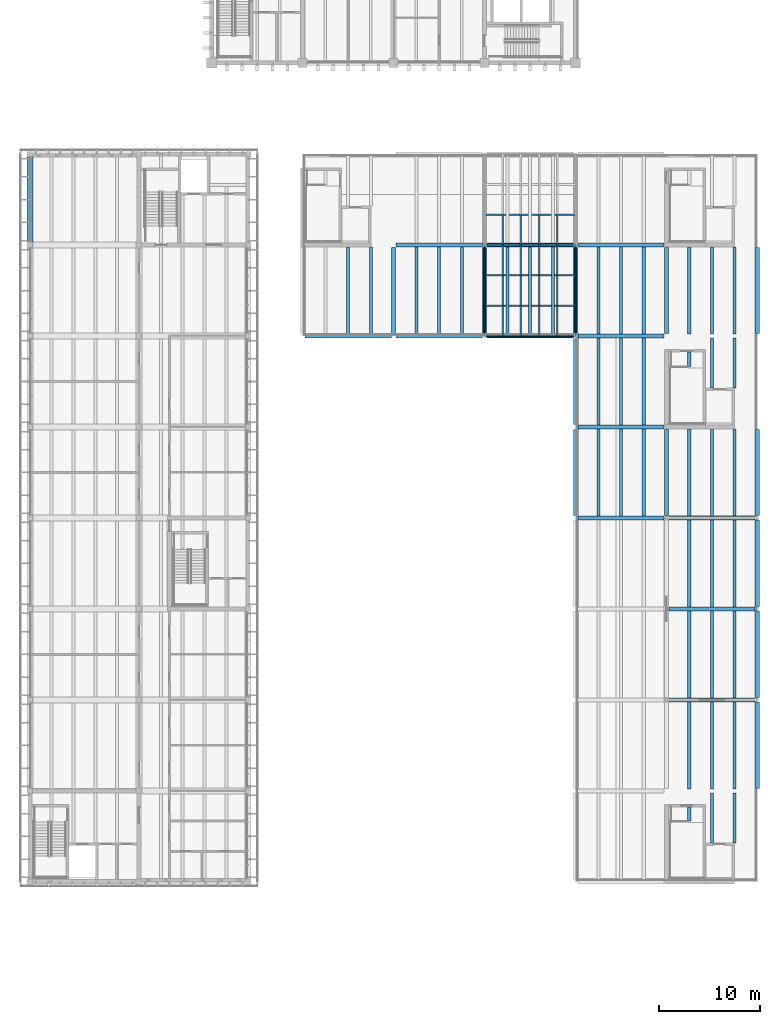
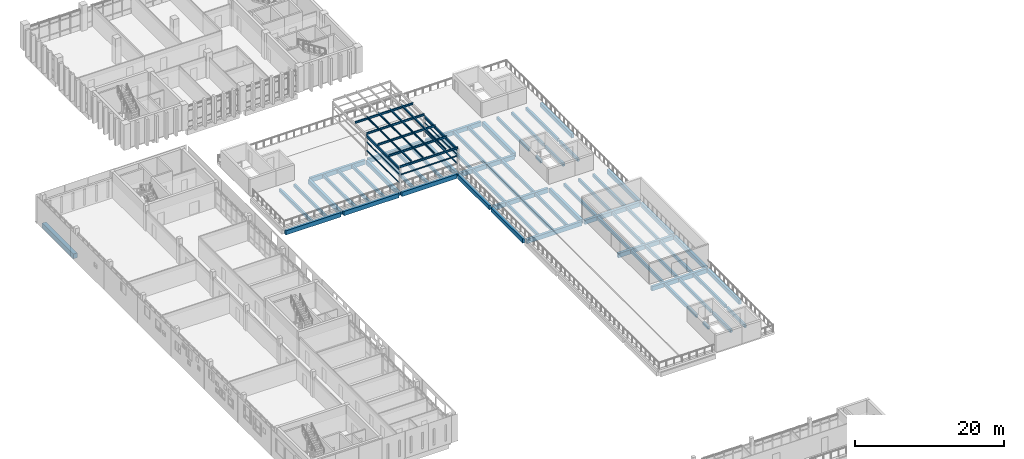
# One storey, part 21 of 74: 70 beams, 21 members.
"""IFC4 building model written with IfcOpenShell, lengths in metres."""

from ifc_helpers import new_model, si_unit, direction, frame, origin, origin_2d, place, context, subcontext, project, spatial, rectangle, hollow_rectangle, hollow_circle, i_section, extrude, material, material_profile, profile_set, type_object, element, save


model = new_model("IFC4")

# Units and contexts
model_context = context("Model", 3, precision=1e-05, world=origin(), true_north=direction((0.0, 1.0)))
body_context = subcontext(model_context, "Body", "Model", "MODEL_VIEW")
ifc_project = project(units=[si_unit("LENGTHUNIT", "METRE"), si_unit("AREAUNIT", "SQUARE_METRE"), si_unit("VOLUMEUNIT", "CUBIC_METRE"), si_unit("PLANEANGLEUNIT", "RADIAN"), si_unit("MASSUNIT", "GRAM", prefix="KILO")], contexts=[model_context])

# Site, building, storey
site_placement = place(None, origin())
site = spatial("IfcSite", under=ifc_project, at=site_placement, CompositionType="ELEMENT")
building_placement = place(site_placement, origin())
building = spatial("IfcBuilding", under=site, at=building_placement, Name="Merrow Basin Faculty of Sciences", CompositionType="ELEMENT")
storey_placement = place(building_placement, frame((0.0, 0.0, 13.5)))
storey = spatial("IfcBuildingStorey", under=building, at=storey_placement, Name="L03", CompositionType="ELEMENT", Elevation=13.5)

# Beams
ifc_material_1 = material(Name="Concrete C40/50", Category="concrete")
ifc_material_profile_1 = material_profile(ifc_material_1, rectangle(XDim=0.39990234375, YDim=0.699951171875, at=origin_2d()))
ifc_profile_set_1 = profile_set([ifc_material_profile_1], Name="Concrete C40/50")
beam_type_1 = type_object("IfcBeamType", Name="Beam RC400x700 C40/50", PredefinedType="BEAM", material=ifc_profile_set_1)
for number, where, z_axis, x_axis, name in (
    (1, (63.22509765625, 79.0, -0.699951171875), (1.0, 0.0, 0.0), (0.0, 1.0, 0.0), "B3 L03 004"),
    (2, (63.22509765625, 88.0, -0.699951171875), (1.0, 0.0, 0.0), (0.0, 1.0, 0.0), "B3 L03 006"),
    (3, (54.22509765625, 97.0, -0.699951171875), (1.0, 0.0, 0.0), (0.0, 1.0, 0.0), "B3 L03 007"),
    (4, (63.22509765625, 97.0, -0.699951171875), (1.0, 0.0, 0.0), (0.0, 1.0, 0.0), "B3 L03 008"),
    (5, (54.22509765625, 106.0, -0.699951171875), (1.0, 0.0, 0.0), (0.0, 1.0, 0.0), "B3 L03 009"),
    (6, (27.22509765625, 115.0, -0.699951171875), (1.0, 0.0, 0.0), (0.0, 1.0, 0.0), "B3 L03 010"),
    (7, (36.22509765625, 115.0, -0.699951171875), (1.0, 0.0, 0.0), (0.0, 1.0, 0.0), "B3 L03 011"),
    (8, (45.22509765625, 115.0, -0.699951171875), (1.0, 0.0, 0.0), (0.0, 1.0, 0.0), "B3 L03 012"),
    (9, (54.22509765625, 115.0, -0.699951171875), (1.0, 0.0, 0.0), (0.0, 1.0, 0.0), "B3 L03 013"),
    (10, (36.22509765625, 124.0, -0.699951171875), (1.0, 0.0, 0.0), (0.0, 1.0, 0.0), "B3 L03 014"),
    (11, (45.22509765625, 124.0, -0.699951171875), (1.0, 0.0, 0.0), (0.0, 1.0, 0.0), "B3 L03 015"),
    (12, (54.22509765625, 124.0, -0.699951171875), (1.0, 0.0, 0.0), (0.0, 1.0, 0.0), "B3 L03 016"),
    (13, (36.0, 115.22509765625, -0.699951171875), (0.0, 1.0, 0.0), (-1.0, 0.0, 0.0), "B3 L03 021"),
    (14, (45.0, 115.22509765625, -0.699951171875), (0.0, 1.0, 0.0), (-1.0, 0.0, 0.0), "B3 L03 022"),
    (15, (54.0, 97.22509765625, -0.699951171875), (0.0, 1.0, 0.0), (-1.0, 0.0, 0.0), "B3 L03 028"),
    (16, (54.0, 106.22509765625, -0.699951171875), (0.0, 1.0, 0.0), (-1.0, 0.0, 0.0), "B3 L03 029"),
    (17, (54.0, 115.22509765625, -0.699951171875), (0.0, 1.0, 0.0), (-1.0, 0.0, 0.0), "B3 L03 030"),
    (18, (63.0, 97.22509765625, -0.699951171875), (0.0, 1.0, 0.0), (-1.0, 0.0, 0.0), "B3 L03 035"),
    (19, (63.0, 115.22509765625, -0.699951171875), (0.0, 1.0, 0.0), (-1.0, 0.0, 0.0), "B3 L03 036"),
    (20, (72.0, 70.22509765625, -0.699951171875), (0.0, 1.0, 0.0), (-1.0, 0.0, 0.0), "B3 L03 037"),
    (21, (72.0, 79.22509765625, -0.699951171875), (0.0, 1.0, 0.0), (-1.0, 0.0, 0.0), "B3 L03 038"),
    (22, (72.0, 88.22509765625, -0.699951171875), (0.0, 1.0, 0.0), (-1.0, 0.0, 0.0), "B3 L03 039"),
    (23, (72.0, 97.22509765625, -0.699951171875), (0.0, 1.0, 0.0), (-1.0, 0.0, 0.0), "B3 L03 040"),
    (24, (72.0, 115.22509765625, -0.699951171875), (0.0, 1.0, 0.0), (-1.0, 0.0, 0.0), "B3 L03 041"),
):
    element("IfcBeam", number, at=place(storey_placement, frame(where, z_axis=z_axis, x_axis=x_axis)), inside=storey, type_object=beam_type_1, Name=name, PredefinedType="BEAM", context=body_context, shape_type="SweptSolid", body=[
        extrude(rectangle(XDim=0.39990234375, YDim=0.699951171875, at=origin_2d()), origin(), (0.0, 0.0, 1.0), 8.5498046875),
    ])
ifc_material_2 = material(Name="Concrete C40/50", Category="concrete")
ifc_material_profile_2 = material_profile(ifc_material_2, rectangle(XDim=0.60009765625, YDim=0.800048828125, at=origin_2d()))
ifc_profile_set_2 = profile_set([ifc_material_profile_2], Name="Concrete C40/50")
beam_type_2 = type_object("IfcBeamType", Name="Beam RC600x800 C40/50", PredefinedType="BEAM", material=ifc_profile_set_2)
beam_1_placement = place(storey_placement, frame((0.0, 124.300048828125, -0.699951171875), z_axis=(0.0, 1.0, 0.0), x_axis=(-1.0, 0.0, 0.0)))
element("IfcBeam", 25, at=beam_1_placement, inside=storey, type_object=beam_type_2, Name="B2 L03 021", PredefinedType="BEAM", context=body_context, shape_type="SweptSolid", body=[
    extrude(rectangle(XDim=0.60009765625, YDim=0.800048828125, at=origin_2d()), origin(), (0.0, 0.0, 1.0), 8.39990234375),
])
ifc_material_3 = material(Name="Concrete C40/50", Category="concrete")
ifc_material_profile_3 = material_profile(ifc_material_3, rectangle(XDim=0.300048828125, YDim=0.5, at=origin_2d()))
ifc_profile_set_3 = profile_set([ifc_material_profile_3], Name="Concrete C40/50")
beam_type_3 = type_object("IfcBeamType", Name="Terrace roof joist RC300x500 C40/50", PredefinedType="BEAM", material=ifc_profile_set_3)
for number, where, z_axis, x_axis, name in (
    (26, (31.5, 115.199951171875, -0.60009765625), (0.0, 1.0, 0.0), (-1.0, 0.0, 0.0), "JD1 L03 054"),
    (27, (33.75, 115.199951171875, -0.60009765625), (0.0, 1.0, 0.0), (-1.0, 0.0, 0.0), "JD1 L03 055"),
    (28, (38.25, 115.199951171875, -0.60009765625), (0.0, 1.0, 0.0), (-1.0, 0.0, 0.0), "JD1 L03 059"),
    (29, (40.5, 115.199951171875, -0.60009765625), (0.0, 1.0, 0.0), (-1.0, 0.0, 0.0), "JD1 L03 060"),
    (30, (42.75, 115.199951171875, -0.60009765625), (0.0, 1.0, 0.0), (-1.0, 0.0, 0.0), "JD1 L03 061"),
    (31, (47.25, 115.199951171875, -0.60009765625), (0.0, 1.0, 0.0), (-1.0, 0.0, 0.0), "JD1 L03 065"),
    (32, (49.5, 115.199951171875, -0.60009765625), (0.0, 1.0, 0.0), (-1.0, 0.0, 0.0), "JD1 L03 066"),
    (33, (51.75, 115.199951171875, -0.60009765625), (0.0, 1.0, 0.0), (-1.0, 0.0, 0.0), "JD1 L03 067"),
    (34, (56.25, 97.199951171875, -0.60009765625), (0.0, 1.0, 0.0), (-1.0, 0.0, 0.0), "JD1 L03 083"),
    (35, (58.5, 97.199951171875, -0.60009765625), (0.0, 1.0, 0.0), (-1.0, 0.0, 0.0), "JD1 L03 084"),
    (36, (60.75, 97.199951171875, -0.60009765625), (0.0, 1.0, 0.0), (-1.0, 0.0, 0.0), "JD1 L03 085"),
    (37, (56.25, 106.199951171875, -0.60009765625), (0.0, 1.0, 0.0), (-1.0, 0.0, 0.0), "JD1 L03 086"),
    (38, (58.5, 106.199951171875, -0.60009765625), (0.0, 1.0, 0.0), (-1.0, 0.0, 0.0), "JD1 L03 087"),
    (39, (60.75, 106.199951171875, -0.60009765625), (0.0, 1.0, 0.0), (-1.0, 0.0, 0.0), "JD1 L03 088"),
    (40, (56.25, 115.199951171875, -0.60009765625), (0.0, 1.0, 0.0), (-1.0, 0.0, 0.0), "JD1 L03 089"),
    (41, (58.5, 115.199951171875, -0.60009765625), (0.0, 1.0, 0.0), (-1.0, 0.0, 0.0), "JD1 L03 090"),
    (42, (60.75, 115.199951171875, -0.60009765625), (0.0, 1.0, 0.0), (-1.0, 0.0, 0.0), "JD1 L03 091"),
):
    element("IfcBeam", number, at=place(storey_placement, frame(where, z_axis=z_axis, x_axis=x_axis)), inside=storey, type_object=beam_type_3, Name=name, PredefinedType="BEAM", context=body_context, shape_type="SweptSolid", body=[
        extrude(rectangle(XDim=0.300048828125, YDim=0.5, at=origin_2d()), origin(), (0.0, 0.0, 1.0), 8.60009765625),
    ])
beam_2_placement = place(storey_placement, frame((65.25, 67.0, -0.60009765625), z_axis=(0.0, 1.0, 0.0), x_axis=(-1.0, 0.0, 0.0)))
element("IfcBeam", 43, at=beam_2_placement, inside=storey, type_object=beam_type_3, Name="JD1 L03 095", PredefinedType="BEAM", context=body_context, shape_type="SweptSolid", body=[
    extrude(rectangle(XDim=0.300048828125, YDim=0.5, at=origin_2d()), origin(), (0.0, 0.0, 1.0), 1.39990234375),
])
for number, where, z_axis, x_axis, name in (
    (44, (67.5, 64.85009765625, -0.60009765625), (0.0, 1.0, 0.0), (-1.0, 0.0, 0.0), "JD1 L03 096"),
    (45, (69.75, 64.85009765625, -0.60009765625), (0.0, 1.0, 0.0), (-1.0, 0.0, 0.0), "JD1 L03 097"),
):
    element("IfcBeam", number, at=place(storey_placement, frame(where, z_axis=z_axis, x_axis=x_axis)), inside=storey, type_object=beam_type_3, Name=name, PredefinedType="BEAM", context=body_context, shape_type="SweptSolid", body=[
        extrude(rectangle(XDim=0.300048828125, YDim=0.5, at=origin_2d()), origin(), (0.0, 0.0, 1.0), 4.949951171875),
    ])
for number, where, z_axis, x_axis, name in (
    (46, (65.25, 70.199951171875, -0.60009765625), (0.0, 1.0, 0.0), (-1.0, 0.0, 0.0), "JD1 L03 098"),
    (47, (67.5, 70.199951171875, -0.60009765625), (0.0, 1.0, 0.0), (-1.0, 0.0, 0.0), "JD1 L03 099"),
    (48, (69.75, 70.199951171875, -0.60009765625), (0.0, 1.0, 0.0), (-1.0, 0.0, 0.0), "JD1 L03 100"),
    (49, (65.25, 79.199951171875, -0.60009765625), (0.0, 1.0, 0.0), (-1.0, 0.0, 0.0), "JD1 L03 101"),
    (50, (67.5, 79.199951171875, -0.60009765625), (0.0, 1.0, 0.0), (-1.0, 0.0, 0.0), "JD1 L03 102"),
    (51, (69.75, 79.199951171875, -0.60009765625), (0.0, 1.0, 0.0), (-1.0, 0.0, 0.0), "JD1 L03 103"),
    (52, (65.25, 88.199951171875, -0.60009765625), (0.0, 1.0, 0.0), (-1.0, 0.0, 0.0), "JD1 L03 104"),
    (53, (67.5, 88.199951171875, -0.60009765625), (0.0, 1.0, 0.0), (-1.0, 0.0, 0.0), "JD1 L03 105"),
    (54, (69.75, 88.199951171875, -0.60009765625), (0.0, 1.0, 0.0), (-1.0, 0.0, 0.0), "JD1 L03 106"),
    (55, (65.25, 97.199951171875, -0.60009765625), (0.0, 1.0, 0.0), (-1.0, 0.0, 0.0), "JD1 L03 107"),
    (56, (67.5, 97.199951171875, -0.60009765625), (0.0, 1.0, 0.0), (-1.0, 0.0, 0.0), "JD1 L03 108"),
    (57, (69.75, 97.199951171875, -0.60009765625), (0.0, 1.0, 0.0), (-1.0, 0.0, 0.0), "JD1 L03 109"),
):
    element("IfcBeam", number, at=place(storey_placement, frame(where, z_axis=z_axis, x_axis=x_axis)), inside=storey, type_object=beam_type_3, Name=name, PredefinedType="BEAM", context=body_context, shape_type="SweptSolid", body=[
        extrude(rectangle(XDim=0.300048828125, YDim=0.5, at=origin_2d()), origin(), (0.0, 0.0, 1.0), 8.60009765625),
    ])
beam_3_placement = place(storey_placement, frame((65.25, 112.0, -0.60009765625), z_axis=(0.0, 1.0, 0.0), x_axis=(-1.0, 0.0, 0.0)))
element("IfcBeam", 58, at=beam_3_placement, inside=storey, type_object=beam_type_3, Name="JD1 L03 110", PredefinedType="BEAM", context=body_context, shape_type="SweptSolid", body=[
    extrude(rectangle(XDim=0.300048828125, YDim=0.5, at=origin_2d()), origin(), (0.0, 0.0, 1.0), 1.39990234375),
])
for number, where, z_axis, x_axis, name in (
    (59, (67.5, 109.85009765625, -0.60009765625), (0.0, 1.0, 0.0), (-1.0, 0.0, 0.0), "JD1 L03 111"),
    (60, (69.75, 109.85009765625, -0.60009765625), (0.0, 1.0, 0.0), (-1.0, 0.0, 0.0), "JD1 L03 112"),
):
    element("IfcBeam", number, at=place(storey_placement, frame(where, z_axis=z_axis, x_axis=x_axis)), inside=storey, type_object=beam_type_3, Name=name, PredefinedType="BEAM", context=body_context, shape_type="SweptSolid", body=[
        extrude(rectangle(XDim=0.300048828125, YDim=0.5, at=origin_2d()), origin(), (0.0, 0.0, 1.0), 4.949951171875),
    ])
for number, where, z_axis, x_axis, name in (
    (61, (65.25, 115.199951171875, -0.60009765625), (0.0, 1.0, 0.0), (-1.0, 0.0, 0.0), "JD1 L03 113"),
    (62, (67.5, 115.199951171875, -0.60009765625), (0.0, 1.0, 0.0), (-1.0, 0.0, 0.0), "JD1 L03 114"),
    (63, (69.75, 115.199951171875, -0.60009765625), (0.0, 1.0, 0.0), (-1.0, 0.0, 0.0), "JD1 L03 115"),
):
    element("IfcBeam", number, at=place(storey_placement, frame(where, z_axis=z_axis, x_axis=x_axis)), inside=storey, type_object=beam_type_3, Name=name, PredefinedType="BEAM", context=body_context, shape_type="SweptSolid", body=[
        extrude(rectangle(XDim=0.300048828125, YDim=0.5, at=origin_2d()), origin(), (0.0, 0.0, 1.0), 8.60009765625),
    ])

# Member
ifc_material_4 = material(Name="Steel ASTM A500 Gr C", Category="steel")
ifc_material_profile_4 = material_profile(ifc_material_4, hollow_circle(Radius=0.05712890625, WallThickness=0.00634765625, at=origin_2d()))
ifc_profile_set_4 = profile_set([ifc_material_profile_4], Name="Steel ASTM A500 Gr C")
member_type_1 = type_object("IfcMemberType", Name="Trellis brace CHS114x6.4", PredefinedType="BRACE", material=ifc_profile_set_4)
member_placement = place(storey_placement, frame((45.117919921875, 115.0, 2.492919921875), z_axis=(1.0, 0.0, 0.0), x_axis=(0.0, 1.0, 0.0)))
element("IfcMember", 64, at=member_placement, inside=storey, type_object=member_type_1, Name="TB1 L03 025", PredefinedType="BRACE", context=body_context, shape_type="SweptSolid", body=[
    extrude(hollow_circle(Radius=0.05712890625, WallThickness=0.00634765625, at=origin_2d()), origin(), (0.0, 0.0, 1.0), 8.76416015625),
])

# Beams
ifc_material_5 = material(Name="Steel ASTM A992", Category="steel")
ifc_material_profile_5 = material_profile(ifc_material_5, i_section(OverallWidth=0.177978515625, OverallDepth=0.406982421875, WebThickness=0.0078125, FlangeThickness=0.0126953125, at=origin_2d()))
ifc_profile_set_5 = profile_set([ifc_material_profile_5], Name="Steel ASTM A992")
beam_type_4 = type_object("IfcBeamType", Name="Trellis girder W410x60", PredefinedType="BEAM", material=ifc_profile_set_5)
for number, where, z_axis, x_axis, name in (
    (65, (45.0, 115.10205078125, 3.447021484375), (0.0, 1.0, 0.0), (-1.0, 0.0, 0.0), "TG1 L03 042"),
    (66, (54.0, 115.10205078125, 3.447021484375), (0.0, 1.0, 0.0), (-1.0, 0.0, 0.0), "TG1 L03 044"),
):
    element("IfcBeam", number, at=place(storey_placement, frame(where, z_axis=z_axis, x_axis=x_axis)), inside=storey, type_object=beam_type_4, Name=name, PredefinedType="BEAM", context=body_context, shape_type="SweptSolid", body=[
        extrude(i_section(OverallWidth=0.177978515625, OverallDepth=0.406982421875, WebThickness=0.0078125, FlangeThickness=0.0126953125, at=origin_2d()), origin(), (0.0, 0.0, 1.0), 8.7958984375),
    ])

# Members
ifc_material_6 = material(Name="Steel ASTM A500 Gr C", Category="steel")
ifc_material_profile_6 = material_profile(ifc_material_6, hollow_rectangle(XDim=0.126953125, YDim=0.126953125, WallThickness=0.00634765625, at=origin_2d()))
ifc_profile_set_6 = profile_set([ifc_material_profile_6], Name="Steel ASTM A500 Gr C")
member_type_2 = type_object("IfcMemberType", Name="Trellis kick rail HSS127x127x6.4", PredefinedType="MEMBER", material=ifc_profile_set_6)
for number, where, z_axis, x_axis, name in (
    (67, (45.0, 115.117919921875, 1.10009765625), (0.0, 1.0, 0.0), (-1.0, 0.0, 0.0), "TK1 L03 031"),
    (68, (54.0, 115.117919921875, 1.10009765625), (0.0, 1.0, 0.0), (-1.0, 0.0, 0.0), "TK1 L03 033"),
):
    element("IfcMember", number, at=place(storey_placement, frame(where, z_axis=z_axis, x_axis=x_axis)), inside=storey, type_object=member_type_2, Name=name, PredefinedType="MEMBER", context=body_context, shape_type="SweptSolid", body=[
        extrude(hollow_rectangle(XDim=0.126953125, YDim=0.126953125, WallThickness=0.00634765625, at=origin_2d()), origin(), (0.0, 0.0, 1.0), 8.76416015625),
    ])
ifc_material_7 = material(Name="Steel ASTM A500 Gr C", Category="steel")
ifc_material_profile_7 = material_profile(ifc_material_7, hollow_circle(Radius=0.04443359375, WallThickness=0.0048828125, at=origin_2d()))
ifc_profile_set_7 = profile_set([ifc_material_profile_7], Name="Steel ASTM A500 Gr C")
member_type_3 = type_object("IfcMemberType", Name="Trellis longitudinal brace CHS89x5.0", PredefinedType="BRACE", material=ifc_profile_set_7)
for number, where, z_axis, x_axis, name in (
    (69, (45.0, 115.117919921875, 2.506103515625), (0.0, 1.0, 0.0), (-1.0, 0.0, 0.0), "TL1 L03 027"),
    (70, (54.0, 115.117919921875, 2.506103515625), (0.0, 1.0, 0.0), (-1.0, 0.0, 0.0), "TL1 L03 029"),
):
    element("IfcMember", number, at=place(storey_placement, frame(where, z_axis=z_axis, x_axis=x_axis)), inside=storey, type_object=member_type_3, Name=name, PredefinedType="BRACE", context=body_context, shape_type="SweptSolid", body=[
        extrude(hollow_circle(Radius=0.04443359375, WallThickness=0.0048828125, at=origin_2d()), origin(), (0.0, 0.0, 1.0), 8.76416015625),
    ])

# Beams
ifc_material_8 = material(Name="Steel ASTM A992", Category="steel")
ifc_material_profile_8 = material_profile(ifc_material_8, i_section(OverallWidth=0.1650390625, OverallDepth=0.31005859375, WebThickness=0.005859375, FlangeThickness=0.009765625, at=origin_2d()))
ifc_profile_set_8 = profile_set([ifc_material_profile_8], Name="Steel ASTM A992")
beam_type_5 = type_object("IfcBeamType", Name="Trellis purlin beam W310x39", PredefinedType="BEAM", material=ifc_profile_set_8)
for number, where, z_axis, x_axis, name in (
    (71, (45.0, 115.0, 3.804931640625), (1.0, 0.0, 0.0), (0.0, 1.0, 0.0), "TP1 L03 046"),
    (72, (45.0, 118.0, 3.804931640625), (1.0, 0.0, 0.0), (0.0, 1.0, 0.0), "TP1 L03 047"),
    (73, (45.0, 121.0, 3.804931640625), (1.0, 0.0, 0.0), (0.0, 1.0, 0.0), "TP1 L03 048"),
    (74, (45.0, 124.0, 3.804931640625), (1.0, 0.0, 0.0), (0.0, 1.0, 0.0), "TP1 L03 049"),
    (75, (45.0, 127.0, 3.804931640625), (1.0, 0.0, 0.0), (0.0, 1.0, 0.0), "TP1 L03 050"),
):
    element("IfcBeam", number, at=place(storey_placement, frame(where, z_axis=z_axis, x_axis=x_axis)), inside=storey, type_object=beam_type_5, Name=name, PredefinedType="BEAM", context=body_context, shape_type="SweptSolid", body=[
        extrude(i_section(OverallWidth=0.1650390625, OverallDepth=0.31005859375, WebThickness=0.005859375, FlangeThickness=0.009765625, at=origin_2d()), origin(), (0.0, 0.0, 1.0), 9.0),
    ])

# Members
ifc_material_9 = material(Name="Steel ASTM A992", Category="steel")
ifc_material_profile_9 = material_profile(ifc_material_9, i_section(OverallWidth=0.14599609375, OverallDepth=0.258056640625, WebThickness=0.006103515625, FlangeThickness=0.009033203125, at=origin_2d()))
ifc_profile_set_9 = profile_set([ifc_material_profile_9], Name="Steel ASTM A992")
member_type_4 = type_object("IfcMemberType", Name="Trellis rafter W250x33", PredefinedType="RAFTER", material=ifc_profile_set_9)
for number, where, z_axis, x_axis, name in (
    (76, (46.800048828125, 115.0, 4.089111328125), (0.0, 1.0, 0.0), (-1.0, 0.0, 0.0), "TR1 L03 001"),
    (77, (48.60009765625, 115.0, 4.089111328125), (0.0, 1.0, 0.0), (-1.0, 0.0, 0.0), "TR1 L03 002"),
    (78, (50.39990234375, 115.0, 4.089111328125), (0.0, 1.0, 0.0), (-1.0, 0.0, 0.0), "TR1 L03 003"),
    (79, (52.199951171875, 115.0, 4.089111328125), (0.0, 1.0, 0.0), (-1.0, 0.0, 0.0), "TR1 L03 004"),
    (80, (46.800048828125, 118.0, 4.089111328125), (0.0, 1.0, 0.0), (-1.0, 0.0, 0.0), "TR1 L03 005"),
    (81, (48.60009765625, 118.0, 4.089111328125), (0.0, 1.0, 0.0), (-1.0, 0.0, 0.0), "TR1 L03 006"),
    (82, (50.39990234375, 118.0, 4.089111328125), (0.0, 1.0, 0.0), (-1.0, 0.0, 0.0), "TR1 L03 007"),
    (83, (52.199951171875, 118.0, 4.089111328125), (0.0, 1.0, 0.0), (-1.0, 0.0, 0.0), "TR1 L03 008"),
    (84, (46.800048828125, 121.0, 4.089111328125), (0.0, 1.0, 0.0), (-1.0, 0.0, 0.0), "TR1 L03 009"),
    (85, (48.60009765625, 121.0, 4.089111328125), (0.0, 1.0, 0.0), (-1.0, 0.0, 0.0), "TR1 L03 010"),
    (86, (50.39990234375, 121.0, 4.089111328125), (0.0, 1.0, 0.0), (-1.0, 0.0, 0.0), "TR1 L03 011"),
    (87, (52.199951171875, 121.0, 4.089111328125), (0.0, 1.0, 0.0), (-1.0, 0.0, 0.0), "TR1 L03 012"),
    (88, (46.800048828125, 124.0, 4.089111328125), (0.0, 1.0, 0.0), (-1.0, 0.0, 0.0), "TR1 L03 013"),
    (89, (48.60009765625, 124.0, 4.089111328125), (0.0, 1.0, 0.0), (-1.0, 0.0, 0.0), "TR1 L03 014"),
    (90, (50.39990234375, 124.0, 4.089111328125), (0.0, 1.0, 0.0), (-1.0, 0.0, 0.0), "TR1 L03 015"),
    (91, (52.199951171875, 124.0, 4.089111328125), (0.0, 1.0, 0.0), (-1.0, 0.0, 0.0), "TR1 L03 016"),
):
    element("IfcMember", number, at=place(storey_placement, frame(where, z_axis=z_axis, x_axis=x_axis)), inside=storey, type_object=member_type_4, Name=name, PredefinedType="RAFTER", context=body_context, shape_type="SweptSolid", body=[
        extrude(i_section(OverallWidth=0.14599609375, OverallDepth=0.258056640625, WebThickness=0.006103515625, FlangeThickness=0.009033203125, at=origin_2d()), origin(), (0.0, 0.0, 1.0), 3.0),
    ])

save(model, "model.ifc")
